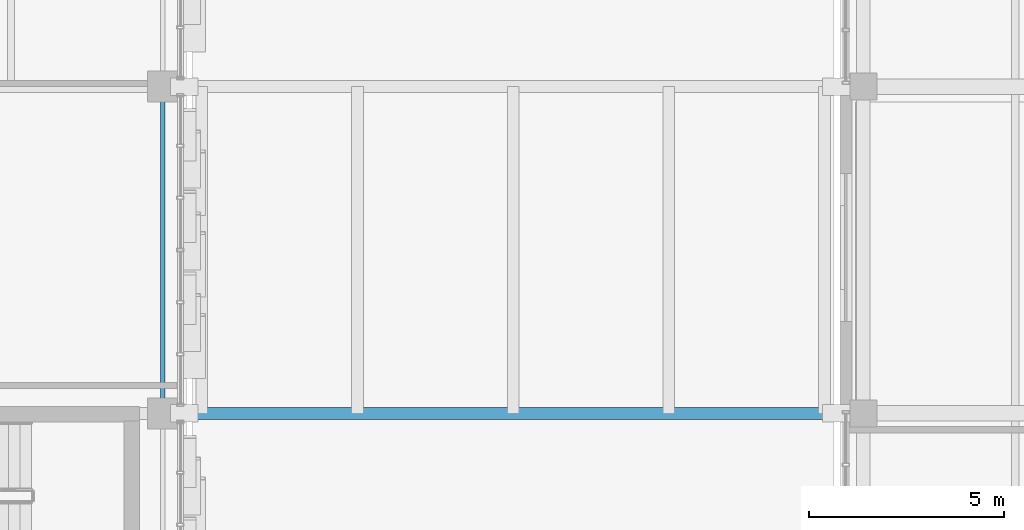
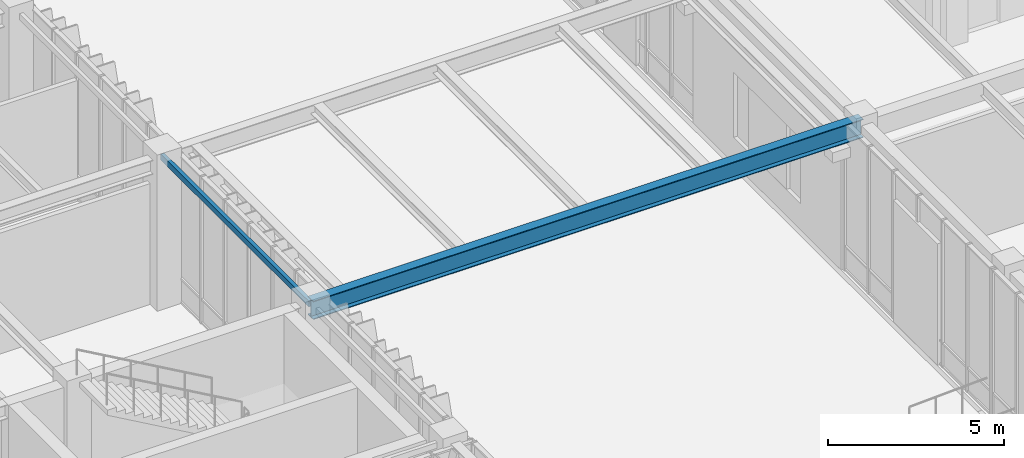
# One storey, part 52 of 122: 2 beams.
"""IFC4 building model written with IfcOpenShell, lengths in metres."""

from ifc_helpers import new_model, si_unit, direction, frame, origin, origin_2d, place, context, subcontext, project, spatial, hollow_rectangle, i_section, extrude, material, material_profile, profile_set, type_object, element, save


model = new_model("IFC4")

# Units and contexts
model_context = context("Model", 3, precision=1e-05, world=origin(), true_north=direction((0.0, 1.0)))
body_context = subcontext(model_context, "Body", "Model", "MODEL_VIEW")
ifc_project = project(units=[si_unit("LENGTHUNIT", "METRE"), si_unit("AREAUNIT", "SQUARE_METRE"), si_unit("VOLUMEUNIT", "CUBIC_METRE"), si_unit("PLANEANGLEUNIT", "RADIAN"), si_unit("MASSUNIT", "GRAM", prefix="KILO")], contexts=[model_context])

# Site, building, storey
site_placement = place(None, origin())
site = spatial("IfcSite", under=ifc_project, at=site_placement, CompositionType="ELEMENT")
building_placement = place(site_placement, origin())
building = spatial("IfcBuilding", under=site, at=building_placement, Name="Zayran Congress Hotel", CompositionType="ELEMENT")
storey_placement = place(building_placement, origin())
storey = spatial("IfcBuildingStorey", under=building, at=storey_placement, Name="L00", CompositionType="ELEMENT", Elevation=0.0)

# Beams
ifc_material = material(Name="Steel S355", Category="steel")
ifc_material_profile_1 = material_profile(ifc_material, i_section(OverallWidth=0.300048828125, OverallDepth=0.639892578125, WebThickness=0.013427734375, FlangeThickness=0.02587890625, at=origin_2d()), Name="HEA 650")
ifc_profile_set_1 = profile_set([ifc_material_profile_1], Name="Steel S355")
beam_type_1 = type_object("IfcBeamType", Name="TP-BM-04", PredefinedType="BEAM", material=ifc_profile_set_1)
beam_1_placement = place(storey_placement, frame((91.800048828125, 76.0, 4.830078125), z_axis=(1.0, 0.0, 0.0), x_axis=(0.0, 1.0, 0.0)))
element("IfcBeam", 1, at=beam_1_placement, inside=storey, type_object=beam_type_1, Name="BM-BR1-L00-2401", PredefinedType="BEAM", context=body_context, shape_type="SweptSolid", body=[
    extrude(i_section(OverallWidth=0.300048828125, OverallDepth=0.639892578125, WebThickness=0.013427734375, FlangeThickness=0.02587890625, at=origin_2d()), origin(), (0.0, 0.0, 1.0), 18.0),
])
ifc_material_profile_2 = material_profile(ifc_material, hollow_rectangle(XDim=0.1201171875, YDim=0.199951171875, WallThickness=0.008056640625, at=origin_2d()), Name="RHS 200x120x8")
ifc_profile_set_2 = profile_set([ifc_material_profile_2], Name="Steel S355")
beam_type_2 = type_object("IfcBeamType", Name="TP-SP-02", PredefinedType="SPANDREL", material=ifc_profile_set_2)
beam_2_placement = place(storey_placement, frame((91.800048828125, 76.0, 4.97998046875), z_axis=(0.0, 1.0, 0.0), x_axis=(-1.0, 0.0, 0.0)))
element("IfcBeam", 2, at=beam_2_placement, inside=storey, type_object=beam_type_2, Name="BM-V1-L00-0486", PredefinedType="SPANDREL", context=body_context, shape_type="SweptSolid", body=[
    extrude(hollow_rectangle(XDim=0.1201171875, YDim=0.199951171875, WallThickness=0.008056640625, at=origin_2d()), origin(), (0.0, 0.0, 1.0), 8.39990234375),
])

save(model, "model.ifc")
